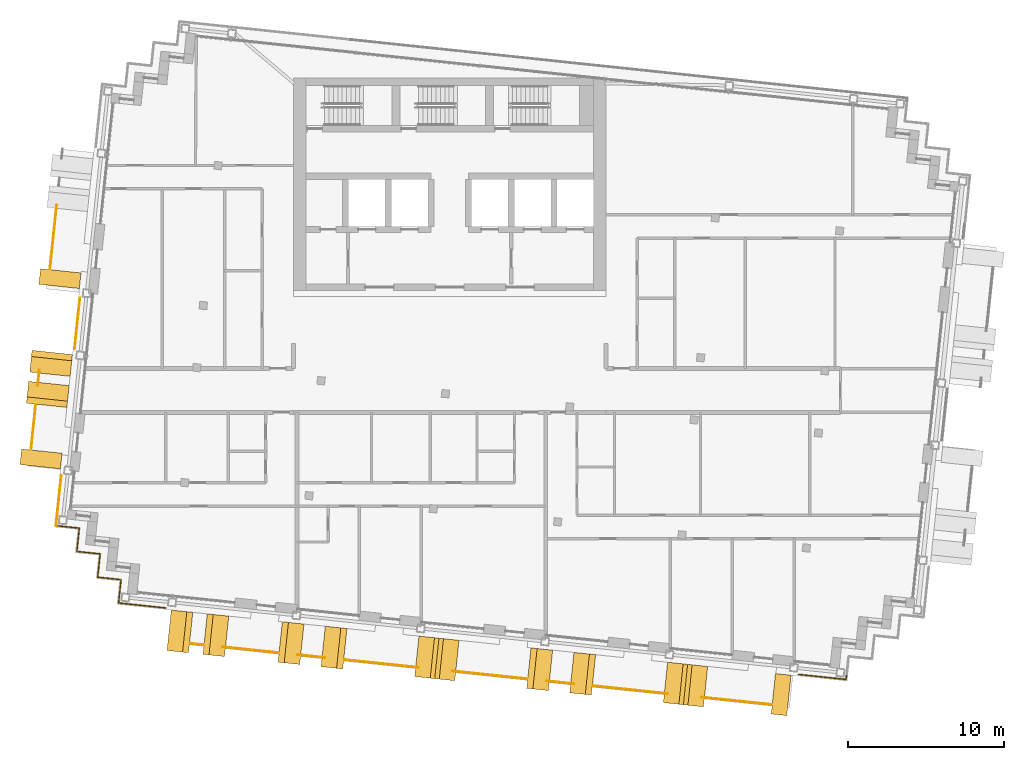
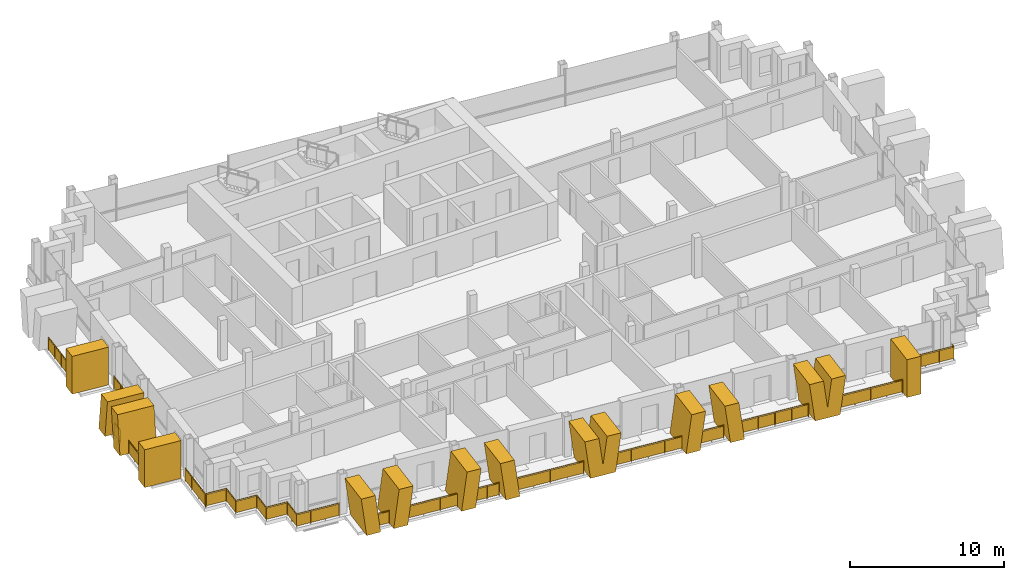
# One storey, part 13 of 16: 15 railings, 13 shading devices.
"""IFC4 building model written with IfcOpenShell, lengths in metres."""

from ifc_helpers import new_model, si_unit, direction, frame, origin, origin_2d, place, context, subcontext, project, spatial, polyline, rectangle, circle, outline, extrude, material, layer, layer_set, type_object, element, save


model = new_model("IFC4")

# Units and contexts
model_context = context("Model", 3, precision=1e-05, world=origin(), true_north=direction((0.0, 1.0)))
body_context = subcontext(model_context, "Body", "Model", "MODEL_VIEW")
ifc_project = project(units=[si_unit("LENGTHUNIT", "METRE"), si_unit("AREAUNIT", "SQUARE_METRE"), si_unit("VOLUMEUNIT", "CUBIC_METRE"), si_unit("PLANEANGLEUNIT", "RADIAN"), si_unit("MASSUNIT", "GRAM", prefix="KILO")], contexts=[model_context])

# Site, building, storey
site_placement = place(None, origin())
site = spatial("IfcSite", under=ifc_project, at=site_placement, CompositionType="ELEMENT")
building_placement = place(site_placement, origin())
building = spatial("IfcBuilding", under=site, at=building_placement, Name="Vidyagriha Tower", CompositionType="ELEMENT")
storey_placement = place(building_placement, frame((0.0, 0.0, 272.300048828125)))
storey = spatial("IfcBuildingStorey", under=building, at=storey_placement, Name="L71", CompositionType="ELEMENT", Elevation=272.300048828125)

# Railings
ifc_material_1 = material(Name="Steel ASTM A500 Grade C black painted", Category="steel")
railing_type_1 = type_object("IfcRailingType", Name="Balcony guard 1100", PredefinedType="BALUSTRADE", material=ifc_material_1)
railing_1_placement = place(storey_placement, frame((-25.153076171875, 11.8515625, 0.0)))
element("IfcRailing", 1, at=railing_1_placement, inside=storey, type_object=railing_type_1, Name="Balcony guard L71 R14.1-3", PredefinedType="BALUSTRADE", context=body_context, shape_type="SweptSolid", body=[
    extrude(circle(Radius=0.02490234375, at=origin_2d()), frame((0.0, 0.0, 1.0751953125), z_axis=(-0.104529672907, -0.994521768229, 0.0), x_axis=(0.994521768229, -0.104529672907, 0.0)), (0.0, 0.0, 1.0), 4.0966796875),
    extrude(circle(Radius=0.02001953125, at=origin_2d()), origin(), (0.0, 0.0, 1.0), 1.050048828125),
    extrude(circle(Radius=0.02001953125, at=origin_2d()), frame((-0.10693359375, -1.0185546875, 0.0)), (0.0, 0.0, 1.0), 1.050048828125),
    extrude(circle(Radius=0.02001953125, at=origin_2d()), frame((-0.214111328125, -2.037109375, 0.0)), (0.0, 0.0, 1.0), 1.050048828125),
    extrude(circle(Radius=0.02001953125, at=origin_2d()), frame((-0.3212890625, -3.0556640625, 0.0)), (0.0, 0.0, 1.0), 1.050048828125),
    extrude(circle(Radius=0.02001953125, at=origin_2d()), frame((-0.42822265625, -4.07421875, 0.0)), (0.0, 0.0, 1.0), 1.050048828125),
    extrude(rectangle(XDim=0.010009765625, YDim=0.900146484375, at=origin_2d()), frame((0.0, 0.0, 0.550048828125), z_axis=(-0.104529672907, -0.994521768229, 0.0), x_axis=(0.994521768229, -0.104529672907, 0.0)), (0.0, 0.0, 1.0), 4.0966796875),
])
railing_2_placement = place(storey_placement, frame((-26.260986328125, 1.3095703125, 0.0)))
element("IfcRailing", 2, at=railing_2_placement, inside=storey, type_object=railing_type_1, Name="Balcony guard L71 R14.2-1", PredefinedType="BALUSTRADE", context=body_context, shape_type="SweptSolid", body=[
    extrude(circle(Radius=0.02490234375, at=origin_2d()), frame((0.0, 0.0, 1.0751953125), z_axis=(-0.104710374516, -0.994502758904, 0.0), x_axis=(0.994502758904, -0.104710374516, 0.0)), (0.0, 0.0, 1.0), 0.9931640625),
    extrude(circle(Radius=0.02001953125, at=origin_2d()), origin(), (0.0, 0.0, 1.0), 1.050048828125),
    extrude(circle(Radius=0.02001953125, at=origin_2d()), frame((-0.10400390625, -0.98779296875, 0.0)), (0.0, 0.0, 1.0), 1.050048828125),
    extrude(rectangle(XDim=0.010009765625, YDim=0.900146484375, at=origin_2d()), frame((0.0, 0.0, 0.550048828125), z_axis=(-0.104710374516, -0.994502758904, 0.0), x_axis=(0.994502758904, -0.104710374516, 0.0)), (0.0, 0.0, 1.0), 0.9931640625),
])
railing_3_placement = place(storey_placement, frame((-26.495849609375, -0.924560546875, 0.0)))
element("IfcRailing", 3, at=railing_3_placement, inside=storey, type_object=railing_type_1, Name="Balcony guard L71 R14.2-2", PredefinedType="BALUSTRADE", context=body_context, shape_type="SweptSolid", body=[
    extrude(circle(Radius=0.02490234375, at=origin_2d()), frame((0.0, 0.0, 1.0751953125), z_axis=(-0.104591144512, -0.994515305307, 0.0), x_axis=(0.994515305307, -0.104591144512, 0.0)), (0.0, 0.0, 1.0), 2.85009765625),
    extrude(circle(Radius=0.02001953125, at=origin_2d()), origin(), (0.0, 0.0, 1.0), 1.050048828125),
    extrude(circle(Radius=0.02001953125, at=origin_2d()), frame((-0.099365234375, -0.94482421875, 0.0)), (0.0, 0.0, 1.0), 1.050048828125),
    extrude(circle(Radius=0.02001953125, at=origin_2d()), frame((-0.19873046875, -1.8896484375, 0.0)), (0.0, 0.0, 1.0), 1.050048828125),
    extrude(circle(Radius=0.02001953125, at=origin_2d()), frame((-0.298095703125, -2.83447265625, 0.0)), (0.0, 0.0, 1.0), 1.050048828125),
    extrude(rectangle(XDim=0.010009765625, YDim=0.900146484375, at=origin_2d()), frame((0.0, 0.0, 0.550048828125), z_axis=(-0.104591144512, -0.994515305307, 0.0), x_axis=(0.994515305307, -0.104591144512, 0.0)), (0.0, 0.0, 1.0), 2.85009765625),
])
railing_4_placement = place(storey_placement, frame((-16.601806640625, -16.192626953125, 0.0)))
element("IfcRailing", 4, at=railing_4_placement, inside=storey, type_object=railing_type_1, Name="Balcony guard L71 R21.1-1", PredefinedType="BALUSTRADE", context=body_context, shape_type="SweptSolid", body=[
    extrude(circle(Radius=0.02490234375, at=origin_2d()), frame((0.0, 0.0, 1.0751953125), z_axis=(0.994513523133, -0.1046080891, 0.0), x_axis=(0.1046080891, 0.994513523133, 0.0)), (0.0, 0.0, 1.0), 0.82861328125),
    extrude(circle(Radius=0.02001953125, at=origin_2d()), origin(), (0.0, 0.0, 1.0), 1.050048828125),
    extrude(circle(Radius=0.02001953125, at=origin_2d()), frame((0.823974609375, -0.086669921875, 0.0)), (0.0, 0.0, 1.0), 1.050048828125),
    extrude(rectangle(XDim=0.010009765625, YDim=0.900146484375, at=origin_2d()), frame((0.0, 0.0, 0.550048828125), z_axis=(0.994513523133, -0.1046080891, 0.0), x_axis=(0.1046080891, 0.994513523133, 0.0)), (0.0, 0.0, 1.0), 0.82861328125),
])
railing_5_placement = place(storey_placement, frame((-14.536865234375, -16.40966796875, 0.0)))
element("IfcRailing", 5, at=railing_5_placement, inside=storey, type_object=railing_type_1, Name="Balcony guard L71 R21.1-2", PredefinedType="BALUSTRADE", context=body_context, shape_type="SweptSolid", body=[
    extrude(circle(Radius=0.02490234375, at=origin_2d()), frame((0.0, 0.0, 1.0751953125), z_axis=(0.994521869256, -0.104528711712, 0.0), x_axis=(0.104528711712, 0.994521869256, 0.0)), (0.0, 0.0, 1.0), 3.582763671875),
    extrude(circle(Radius=0.02001953125, at=origin_2d()), origin(), (0.0, 0.0, 1.0), 1.050048828125),
    extrude(circle(Radius=0.02001953125, at=origin_2d()), frame((1.187744140625, -0.124755859375, 0.0)), (0.0, 0.0, 1.0), 1.050048828125),
    extrude(circle(Radius=0.02001953125, at=origin_2d()), frame((2.37548828125, -0.249755859375, 0.0)), (0.0, 0.0, 1.0), 1.050048828125),
    extrude(circle(Radius=0.02001953125, at=origin_2d()), frame((3.563232421875, -0.37451171875, 0.0)), (0.0, 0.0, 1.0), 1.050048828125),
    extrude(rectangle(XDim=0.010009765625, YDim=0.900146484375, at=origin_2d()), frame((0.0, 0.0, 0.550048828125), z_axis=(0.994521869256, -0.104528711712, 0.0), x_axis=(0.104528711712, 0.994521869256, 0.0)), (0.0, 0.0, 1.0), 3.582763671875),
])
railing_6_placement = place(storey_placement, frame((-9.72900390625, -16.9150390625, 0.0)))
element("IfcRailing", 6, at=railing_6_placement, inside=storey, type_object=railing_type_1, Name="Balcony guard L71 R21.1-3", PredefinedType="BALUSTRADE", context=body_context, shape_type="SweptSolid", body=[
    extrude(circle(Radius=0.02490234375, at=origin_2d()), frame((0.0, 0.0, 1.0751953125), z_axis=(0.994526749001, -0.104482273715, 0.0), x_axis=(0.104482273715, 0.994526749001, 0.0)), (0.0, 0.0, 1.0), 1.757080078125),
    extrude(circle(Radius=0.02001953125, at=origin_2d()), origin(), (0.0, 0.0, 1.0), 1.050048828125),
    extrude(circle(Radius=0.02001953125, at=origin_2d()), frame((0.873779296875, -0.091796875, 0.0)), (0.0, 0.0, 1.0), 1.050048828125),
    extrude(circle(Radius=0.02001953125, at=origin_2d()), frame((1.74755859375, -0.18359375, 0.0)), (0.0, 0.0, 1.0), 1.050048828125),
    extrude(rectangle(XDim=0.010009765625, YDim=0.900146484375, at=origin_2d()), frame((0.0, 0.0, 0.550048828125), z_axis=(0.994526749001, -0.104482273715, 0.0), x_axis=(0.104482273715, 0.994526749001, 0.0)), (0.0, 0.0, 1.0), 1.757080078125),
])
for number, where, name in (
    (7, (-6.73681640625, -17.2294921875, 0.0), "Balcony guard L71 R21.1-4"),
    (8, (0.19140625, -17.95751953125, 0.0), "Balcony guard L71 R21.1-5"),
):
    element("IfcRailing", number, at=place(storey_placement, frame(where)), inside=storey, type_object=railing_type_1, Name=name, PredefinedType="BALUSTRADE", context=body_context, shape_type="SweptSolid", body=[
        extrude(circle(Radius=0.02490234375, at=origin_2d()), frame((0.0, 0.0, 1.0751953125), z_axis=(0.994520575937, -0.104541016056, 0.0), x_axis=(0.104541016056, 0.994520575937, 0.0)), (0.0, 0.0, 1.0), 4.7734375),
        extrude(circle(Radius=0.02001953125, at=origin_2d()), origin(), (0.0, 0.0, 1.0), 1.050048828125),
        extrude(circle(Radius=0.02001953125, at=origin_2d()), frame((1.186767578125, -0.124755859375, 0.0)), (0.0, 0.0, 1.0), 1.050048828125),
        extrude(circle(Radius=0.02001953125, at=origin_2d()), frame((2.37353515625, -0.24951171875, 0.0)), (0.0, 0.0, 1.0), 1.050048828125),
        extrude(circle(Radius=0.02001953125, at=origin_2d()), frame((3.560546875, -0.374267578125, 0.0)), (0.0, 0.0, 1.0), 1.050048828125),
        extrude(circle(Radius=0.02001953125, at=origin_2d()), frame((4.747314453125, -0.4990234375, 0.0)), (0.0, 0.0, 1.0), 1.050048828125),
        extrude(rectangle(XDim=0.010009765625, YDim=0.900146484375, at=origin_2d()), frame((0.0, 0.0, 0.550048828125), z_axis=(0.994520575937, -0.104541016056, 0.0), x_axis=(0.104541016056, 0.994520575937, 0.0)), (0.0, 0.0, 1.0), 4.7734375),
    ])
railing_7_placement = place(storey_placement, frame((6.183349609375, -18.58740234375, 0.0)))
element("IfcRailing", 9, at=railing_7_placement, inside=storey, type_object=railing_type_1, Name="Balcony guard L71 R21.1-6", PredefinedType="BALUSTRADE", context=body_context, shape_type="SweptSolid", body=[
    extrude(circle(Radius=0.02490234375, at=origin_2d()), frame((0.0, 0.0, 1.0751953125), z_axis=(0.994526749001, -0.104482273715, 0.0), x_axis=(0.104482273715, 0.994526749001, 0.0)), (0.0, 0.0, 1.0), 1.757080078125),
    extrude(circle(Radius=0.02001953125, at=origin_2d()), origin(), (0.0, 0.0, 1.0), 1.050048828125),
    extrude(circle(Radius=0.02001953125, at=origin_2d()), frame((0.873779296875, -0.091796875, 0.0)), (0.0, 0.0, 1.0), 1.050048828125),
    extrude(circle(Radius=0.02001953125, at=origin_2d()), frame((1.74755859375, -0.18359375, 0.0)), (0.0, 0.0, 1.0), 1.050048828125),
    extrude(rectangle(XDim=0.010009765625, YDim=0.900146484375, at=origin_2d()), frame((0.0, 0.0, 0.550048828125), z_axis=(0.994526749001, -0.104482273715, 0.0), x_axis=(0.104482273715, 0.994526749001, 0.0)), (0.0, 0.0, 1.0), 1.757080078125),
])
railing_8_placement = place(storey_placement, frame((9.175537109375, -18.90185546875, 0.0)))
element("IfcRailing", 10, at=railing_8_placement, inside=storey, type_object=railing_type_1, Name="Balcony guard L71 R21.1-7", PredefinedType="BALUSTRADE", context=body_context, shape_type="SweptSolid", body=[
    extrude(circle(Radius=0.02490234375, at=origin_2d()), frame((0.0, 0.0, 1.0751953125), z_axis=(0.994520575937, -0.104541016056, 0.0), x_axis=(0.104541016056, 0.994520575937, 0.0)), (0.0, 0.0, 1.0), 4.7734375),
    extrude(circle(Radius=0.02001953125, at=origin_2d()), origin(), (0.0, 0.0, 1.0), 1.050048828125),
    extrude(circle(Radius=0.02001953125, at=origin_2d()), frame((1.186767578125, -0.124755859375, 0.0)), (0.0, 0.0, 1.0), 1.050048828125),
    extrude(circle(Radius=0.02001953125, at=origin_2d()), frame((2.37353515625, -0.24951171875, 0.0)), (0.0, 0.0, 1.0), 1.050048828125),
    extrude(circle(Radius=0.02001953125, at=origin_2d()), frame((3.560546875, -0.374267578125, 0.0)), (0.0, 0.0, 1.0), 1.050048828125),
    extrude(circle(Radius=0.02001953125, at=origin_2d()), frame((4.747314453125, -0.4990234375, 0.0)), (0.0, 0.0, 1.0), 1.050048828125),
    extrude(rectangle(XDim=0.010009765625, YDim=0.900146484375, at=origin_2d()), frame((0.0, 0.0, 0.550048828125), z_axis=(0.994520575937, -0.104541016056, 0.0), x_axis=(0.104541016056, 0.994520575937, 0.0)), (0.0, 0.0, 1.0), 4.7734375),
])
railing_9_placement = place(storey_placement, frame((16.103759765625, -19.630126953125, 0.0)))
element("IfcRailing", 11, at=railing_9_placement, inside=storey, type_object=railing_type_1, Name="Balcony guard L71 R21.1-8", PredefinedType="BALUSTRADE", context=body_context, shape_type="SweptSolid", body=[
    extrude(circle(Radius=0.02490234375, at=origin_2d()), frame((0.0, 0.0, 1.0751953125), z_axis=(0.994522668533, -0.104521106837, 0.0), x_axis=(0.104521106837, 0.994522668533, 0.0)), (0.0, 0.0, 1.0), 4.50341796875),
    extrude(circle(Radius=0.02001953125, at=origin_2d()), origin(), (0.0, 0.0, 1.0), 1.050048828125),
    extrude(circle(Radius=0.02001953125, at=origin_2d()), frame((1.11962890625, -0.11767578125, 0.0)), (0.0, 0.0, 1.0), 1.050048828125),
    extrude(circle(Radius=0.02001953125, at=origin_2d()), frame((2.2392578125, -0.2353515625, 0.0)), (0.0, 0.0, 1.0), 1.050048828125),
    extrude(circle(Radius=0.02001953125, at=origin_2d()), frame((3.359130859375, -0.35302734375, 0.0)), (0.0, 0.0, 1.0), 1.050048828125),
    extrude(circle(Radius=0.02001953125, at=origin_2d()), frame((4.478759765625, -0.470703125, 0.0)), (0.0, 0.0, 1.0), 1.050048828125),
    extrude(rectangle(XDim=0.010009765625, YDim=0.900146484375, at=origin_2d()), frame((0.0, 0.0, 0.550048828125), z_axis=(0.994522668533, -0.104521106837, 0.0), x_axis=(0.104521106837, 0.994522668533, 0.0)), (0.0, 0.0, 1.0), 4.50341796875),
])

# Shading devices
ifc_material_2 = material(Name="Precast concrete C40/50 with buff brick facing", Category="concrete")
ifc_layer_1 = layer(ifc_material_2, 1.0)
ifc_layer_set_1 = layer_set([ifc_layer_1], Name="Precast concrete C40/50 with buff brick facing")
shading_device_type_1 = type_object("IfcShadingDeviceType", Name="Brick-faced blade fin arm leaning 8 degrees", PredefinedType="USERDEFINED", material=ifc_layer_set_1)
shading_device_1_placement = place(storey_placement, frame((-25.648193359375, 0.444091796875, 0.0), z_axis=(0.0, 0.0, 1.0), x_axis=(-0.104648468085, -0.994509275033, 0.0)))
element("IfcShadingDevice", 12, at=shading_device_1_placement, inside=storey, type_object=shading_device_type_1, Name="Leaning blade fin L71 R14.1630a", ObjectType="BLADE FIN", PredefinedType="USERDEFINED", context=body_context, shape_type="SweptSolid", body=[
    extrude(outline(polyline([(0.39990234375, 0.0), (1.39990234375, 0.0), (1.0, 3.0), (0.0, 3.0), (0.39990234375, 0.0)])), frame((0.0, 1.300048828125, 0.0), z_axis=(0.0, -1.0, 0.0), x_axis=(1.0, 0.0, 0.0)), (0.0, 0.0, 1.0), 2.60009765625),
])
shading_device_2_placement = place(storey_placement, frame((-25.439208984375, 2.433349609375, 0.0), z_axis=(0.0, 0.0, 1.0), x_axis=(-0.104457839748, -0.994529315664, 0.0)))
element("IfcShadingDevice", 13, at=shading_device_2_placement, inside=storey, type_object=shading_device_type_1, Name="Leaning blade fin L71 R14.1630b", ObjectType="BLADE FIN", PredefinedType="USERDEFINED", context=body_context, shape_type="SweptSolid", body=[
    extrude(outline(polyline([(0.0, 0.0), (1.0, 0.0), (1.39990234375, 3.0), (0.39990234375, 3.0), (0.0, 0.0)])), frame((0.0, 1.300048828125, 0.0), z_axis=(0.0, -1.0, 0.0), x_axis=(1.0, 0.0, 0.0)), (0.0, 0.0, 1.0), 2.60009765625),
])
shading_device_3_placement = place(storey_placement, frame((-15.65478515625, -15.58837890625, 0.0), z_axis=(0.0, 0.0, 1.0), x_axis=(0.994525710414, -0.104492159156, 0.0)))
element("IfcShadingDevice", 14, at=shading_device_3_placement, inside=storey, type_object=shading_device_type_1, Name="Leaning blade fin L71 R21.230a", ObjectType="BLADE FIN", PredefinedType="USERDEFINED", context=body_context, shape_type="SweptSolid", body=[
    extrude(outline(polyline([(0.0, 0.0), (1.0, 0.0), (1.3857421875, 3.0), (0.3857421875, 3.0), (0.0, 0.0)])), frame((0.0, 1.300048828125, 0.0), z_axis=(0.0, -1.0, 0.0), x_axis=(1.0, 0.0, 0.0)), (0.0, 0.0, 1.0), 2.60009765625),
])
shading_device_4_placement = place(storey_placement, frame((-17.95654296875, -15.346435546875, 0.0), z_axis=(0.0, 0.0, 1.0), x_axis=(0.994525710414, -0.104492159156, 0.0)))
element("IfcShadingDevice", 15, at=shading_device_4_placement, inside=storey, type_object=shading_device_type_1, Name="Leaning blade fin L71 R21.230b", ObjectType="BLADE FIN", PredefinedType="USERDEFINED", context=body_context, shape_type="SweptSolid", body=[
    extrude(outline(polyline([(0.3857421875, 0.0), (1.3857421875, 0.0), (1.0, 3.0), (0.0, 3.0), (0.3857421875, 0.0)])), frame((0.0, 1.300048828125, 0.0), z_axis=(0.0, -1.0, 0.0), x_axis=(1.0, 0.0, 0.0)), (0.0, 0.0, 1.0), 2.60009765625),
])
shading_device_5_placement = place(storey_placement, frame((-8.100830078125, -16.382080078125, 0.0), z_axis=(0.0, 0.0, 1.0), x_axis=(0.99450928781, -0.104648346667, 0.0)))
element("IfcShadingDevice", 16, at=shading_device_5_placement, inside=storey, type_object=shading_device_type_1, Name="Leaning blade fin L71 R21.1030a", ObjectType="BLADE FIN", PredefinedType="USERDEFINED", context=body_context, shape_type="SweptSolid", body=[
    extrude(outline(polyline([(0.39501953125, 0.0), (1.39501953125, 0.0), (1.0, 3.0), (0.0, 3.0), (0.39501953125, 0.0)])), frame((0.0, 1.300048828125, 0.0), z_axis=(0.0, -1.0, 0.0), x_axis=(1.0, 0.0, 0.0)), (0.0, 0.0, 1.0), 2.60009765625),
])
shading_device_6_placement = place(storey_placement, frame((-10.8505859375, -16.09326171875, 0.0), z_axis=(0.0, 0.0, 1.0), x_axis=(0.994525575058, -0.104493447432, 0.0)))
element("IfcShadingDevice", 17, at=shading_device_6_placement, inside=storey, type_object=shading_device_type_1, Name="Leaning blade fin L71 R21.1030b", ObjectType="BLADE FIN", PredefinedType="USERDEFINED", context=body_context, shape_type="SweptSolid", body=[
    extrude(outline(polyline([(0.0, 0.0), (1.0, 0.0), (1.39501953125, 3.0), (0.39501953125, 3.0), (0.0, 0.0)])), frame((0.0, 1.300048828125, 0.0), z_axis=(0.0, -1.0, 0.0), x_axis=(1.0, 0.0, 0.0)), (0.0, 0.0, 1.0), 2.60009765625),
])
shading_device_7_placement = place(storey_placement, frame((7.8115234375, -18.0546875, 0.0), z_axis=(0.0, 0.0, 1.0), x_axis=(0.9945274857, -0.104475261123, 0.0)))
element("IfcShadingDevice", 18, at=shading_device_7_placement, inside=storey, type_object=shading_device_type_1, Name="Leaning blade fin L71 R21.2630a", ObjectType="BLADE FIN", PredefinedType="USERDEFINED", context=body_context, shape_type="SweptSolid", body=[
    extrude(outline(polyline([(0.39501953125, 0.0), (1.39501953125, 0.0), (1.0, 3.0), (0.0, 3.0), (0.39501953125, 0.0)])), frame((0.0, 1.300048828125, 0.0), z_axis=(0.0, -1.0, 0.0), x_axis=(1.0, 0.0, 0.0)), (0.0, 0.0, 1.0), 2.60009765625),
])
shading_device_8_placement = place(storey_placement, frame((5.061767578125, -17.765625, 0.0), z_axis=(0.0, 0.0, 1.0), x_axis=(0.994507370866, -0.104666562439, 0.0)))
element("IfcShadingDevice", 19, at=shading_device_8_placement, inside=storey, type_object=shading_device_type_1, Name="Leaning blade fin L71 R21.2630b", ObjectType="BLADE FIN", PredefinedType="USERDEFINED", context=body_context, shape_type="SweptSolid", body=[
    extrude(outline(polyline([(0.0, 0.0), (1.0, 0.0), (1.39501953125, 3.0), (0.39501953125, 3.0), (0.0, 0.0)])), frame((0.0, 1.300048828125, 0.0), z_axis=(0.0, -1.0, 0.0), x_axis=(1.0, 0.0, 0.0)), (0.0, 0.0, 1.0), 2.60009765625),
])
ifc_material_3 = material(Name="Precast concrete C40/50 with buff brick facing", Category="concrete")
ifc_layer_2 = layer(ifc_material_3, 1.0)
ifc_layer_set_2 = layer_set([ifc_layer_2], Name="Precast concrete C40/50 with buff brick facing")
shading_device_type_2 = type_object("IfcShadingDeviceType", Name="Brick-faced blade fin forking 8 degrees", PredefinedType="USERDEFINED", material=ifc_layer_set_2)
for number, where, z_axis, x_axis, name in (
    (20, (-2.10888671875, -17.011962890625, 0.0), (0.0, 0.0, 1.0), (0.994518407752, -0.104561640396, 0.0), "Forked blade fin L71 R21.1830a"),
    (21, (13.803466796875, -18.6845703125, 0.0), (0.0, 0.0, 1.0), (0.994528243451, -0.104468047647, 0.0), "Forked blade fin L71 R21.3430a"),
):
    element("IfcShadingDevice", number, at=place(storey_placement, frame(where, z_axis=z_axis, x_axis=x_axis)), inside=storey, type_object=shading_device_type_2, Name=name, ObjectType="BLADE FIN", PredefinedType="USERDEFINED", context=body_context, shape_type="SweptSolid", body=[
        extrude(outline(polyline([(0.39501953125, 0.0), (2.18505859375, 0.0), (2.580078125, 3.0), (1.580078125, 3.0), (1.2900390625, 0.79736328125), (1.0, 3.0), (0.0, 3.0), (0.39501953125, 0.0)])), frame((0.0, 1.300048828125, 0.0), z_axis=(0.0, -1.0, 0.0), x_axis=(1.0, 0.0, 0.0)), (0.0, 0.0, 1.0), 2.60009765625),
    ])
ifc_material_4 = material(Name="Precast concrete C40/50 with buff brick facing", Category="concrete")
ifc_layer_3 = layer(ifc_material_4, 1.0)
ifc_layer_set_3 = layer_set([ifc_layer_3], Name="Precast concrete C40/50 with buff brick facing")
shading_device_type_3 = type_object("IfcShadingDeviceType", Name="Brick-faced blade fin stem 1000", PredefinedType="USERDEFINED", material=ifc_layer_set_3)
for number, where, z_axis, x_axis, name in (
    (22, (-24.890380859375, 7.654541015625, 0.0), (0.0, 0.0, 1.0), (-0.104481464157, -0.994526834051, 0.0), "Stem blade fin L71 R14.1230a"),
    (23, (-26.102783203125, -3.882080078125, 0.0), (0.0, 0.0, 1.0), (-0.104748335039, -0.99449876134, 0.0), "Stem blade fin L71 R14.2370a"),
    (24, (20.70556640625, -19.409912109375, 0.0), (0.0, 0.0, 1.0), (0.994524168223, -0.104506836238, 0.0), "Stem blade fin L71 R21.4230a"),
):
    element("IfcShadingDevice", number, at=place(storey_placement, frame(where, z_axis=z_axis, x_axis=x_axis)), inside=storey, type_object=shading_device_type_3, Name=name, ObjectType="BLADE FIN", PredefinedType="USERDEFINED", context=body_context, shape_type="SweptSolid", body=[
        extrude(outline(polyline([(0.0, 0.0), (1.0, 0.0), (1.0, 3.0), (0.0, 3.0), (0.0, 0.0)])), frame((0.0, 1.300048828125, 0.0), z_axis=(0.0, -1.0, 0.0), x_axis=(1.0, 0.0, 0.0)), (0.0, 0.0, 1.0), 2.60009765625),
    ])

# Railings
ifc_material_5 = material(Name="Steel ASTM A500 Grade C black painted", Category="steel")
railing_type_2 = type_object("IfcRailingType", Name="Gallery guard 1100", PredefinedType="GUARDRAIL", material=ifc_material_5)
railing_10_placement = place(storey_placement, frame((-18.168212890625, -13.91650390625, 0.0)))
element("IfcRailing", 25, at=railing_10_placement, inside=storey, type_object=railing_type_2, Name="Gallery guard L71 1", PredefinedType="GUARDRAIL", context=body_context, shape_type="SweptSolid", body=[
    extrude(circle(Radius=0.02490234375, at=origin_2d()), frame((0.0, 0.0, 1.0751953125), z_axis=(-0.994518646122, 0.104559373163, 0.0), x_axis=(-0.104559373163, -0.994518646122, 0.0)), (0.0, 0.0, 1.0), 3.0400390625),
    extrude(circle(Radius=0.02490234375, at=origin_2d()), frame((-3.0234375, 0.31787109375, 1.0751953125), z_axis=(0.104481464157, 0.994526834051, 0.0), x_axis=(-0.994526834051, 0.104481464157, 0.0)), (0.0, 0.0, 1.0), 1.500244140625),
    extrude(circle(Radius=0.02490234375, at=origin_2d()), frame((-2.86669921875, 1.809814453125, 1.0751953125), z_axis=(-0.994525057048, 0.104498377516, 0.0), x_axis=(-0.104498377516, -0.994525057048, 0.0)), (0.0, 0.0, 1.0), 1.5),
    extrude(circle(Radius=0.02490234375, at=origin_2d()), frame((-4.3583984375, 1.966552734375, 1.0751953125), z_axis=(0.104498377516, 0.994525057048, 0.0), x_axis=(-0.994525057048, 0.104498377516, 0.0)), (0.0, 0.0, 1.0), 1.5),
    extrude(circle(Radius=0.02490234375, at=origin_2d()), frame((-4.20166015625, 3.458251953125, 1.0751953125), z_axis=(-0.994525057048, 0.104498377516, 0.0), x_axis=(-0.104498377516, -0.994525057048, 0.0)), (0.0, 0.0, 1.0), 1.5),
    extrude(circle(Radius=0.02490234375, at=origin_2d()), frame((-5.693359375, 3.614990234375, 1.0751953125), z_axis=(0.104498377516, 0.994525057048, 0.0), x_axis=(-0.994525057048, 0.104498377516, 0.0)), (0.0, 0.0, 1.0), 1.5),
    extrude(circle(Radius=0.02490234375, at=origin_2d()), frame((-5.53662109375, 5.106689453125, 1.0751953125), z_axis=(-0.994505452921, 0.104684784518, 0.0), x_axis=(-0.104684784518, -0.994505452921, 0.0)), (0.0, 0.0, 1.0), 1.4599609375),
    extrude(circle(Radius=0.02001953125, at=origin_2d()), origin(), (0.0, 0.0, 1.0), 1.050048828125),
    extrude(circle(Radius=0.02001953125, at=origin_2d()), frame((-1.0078125, 0.10595703125, 0.0)), (0.0, 0.0, 1.0), 1.050048828125),
    extrude(circle(Radius=0.02001953125, at=origin_2d()), frame((-2.015625, 0.2119140625, 0.0)), (0.0, 0.0, 1.0), 1.050048828125),
    extrude(circle(Radius=0.02001953125, at=origin_2d()), frame((-3.0234375, 0.31787109375, 0.0)), (0.0, 0.0, 1.0), 1.050048828125),
    extrude(circle(Radius=0.02001953125, at=origin_2d()), frame((-2.945068359375, 1.06396484375, 0.0)), (0.0, 0.0, 1.0), 1.050048828125),
    extrude(circle(Radius=0.02001953125, at=origin_2d()), frame((-2.86669921875, 1.809814453125, 0.0)), (0.0, 0.0, 1.0), 1.050048828125),
    extrude(circle(Radius=0.02001953125, at=origin_2d()), frame((-4.3583984375, 1.966552734375, 0.0)), (0.0, 0.0, 1.0), 1.050048828125),
    extrude(circle(Radius=0.02001953125, at=origin_2d()), frame((-4.20166015625, 3.458251953125, 0.0)), (0.0, 0.0, 1.0), 1.050048828125),
    extrude(circle(Radius=0.02001953125, at=origin_2d()), frame((-5.693359375, 3.614990234375, 0.0)), (0.0, 0.0, 1.0), 1.050048828125),
    extrude(circle(Radius=0.02001953125, at=origin_2d()), frame((-5.53662109375, 5.106689453125, 0.0)), (0.0, 0.0, 1.0), 1.050048828125),
    extrude(circle(Radius=0.02001953125, at=origin_2d()), frame((-6.988525390625, 5.259521484375, 0.0)), (0.0, 0.0, 1.0), 1.050048828125),
    extrude(rectangle(XDim=0.010009765625, YDim=0.900146484375, at=origin_2d()), frame((0.0, 0.0, 0.550048828125), z_axis=(-0.994518646122, 0.104559373163, 0.0), x_axis=(-0.104559373163, -0.994518646122, 0.0)), (0.0, 0.0, 1.0), 3.0400390625),
    extrude(rectangle(XDim=0.010009765625, YDim=0.900146484375, at=origin_2d()), frame((-3.0234375, 0.31787109375, 0.550048828125), z_axis=(0.104481464157, 0.994526834051, 0.0), x_axis=(-0.994526834051, 0.104481464157, 0.0)), (0.0, 0.0, 1.0), 1.500244140625),
    extrude(rectangle(XDim=0.010009765625, YDim=0.900146484375, at=origin_2d()), frame((-2.86669921875, 1.809814453125, 0.550048828125), z_axis=(-0.994525057048, 0.104498377516, 0.0), x_axis=(-0.104498377516, -0.994525057048, 0.0)), (0.0, 0.0, 1.0), 1.5),
    extrude(rectangle(XDim=0.010009765625, YDim=0.900146484375, at=origin_2d()), frame((-4.3583984375, 1.966552734375, 0.550048828125), z_axis=(0.104498377516, 0.994525057048, 0.0), x_axis=(-0.994525057048, 0.104498377516, 0.0)), (0.0, 0.0, 1.0), 1.5),
    extrude(rectangle(XDim=0.010009765625, YDim=0.900146484375, at=origin_2d()), frame((-4.20166015625, 3.458251953125, 0.550048828125), z_axis=(-0.994525057048, 0.104498377516, 0.0), x_axis=(-0.104498377516, -0.994525057048, 0.0)), (0.0, 0.0, 1.0), 1.5),
    extrude(rectangle(XDim=0.010009765625, YDim=0.900146484375, at=origin_2d()), frame((-5.693359375, 3.614990234375, 0.550048828125), z_axis=(0.104498377516, 0.994525057048, 0.0), x_axis=(-0.994525057048, 0.104498377516, 0.0)), (0.0, 0.0, 1.0), 1.5),
    extrude(rectangle(XDim=0.010009765625, YDim=0.900146484375, at=origin_2d()), frame((-5.53662109375, 5.106689453125, 0.550048828125), z_axis=(-0.994505452921, 0.104684784518, 0.0), x_axis=(-0.104684784518, -0.994505452921, 0.0)), (0.0, 0.0, 1.0), 1.4599609375),
])
railing_11_placement = place(storey_placement, frame((-25.15673828125, -8.656982421875, 0.0)))
element("IfcRailing", 26, at=railing_11_placement, inside=storey, type_object=railing_type_2, Name="Gallery guard L71 2", PredefinedType="GUARDRAIL", context=body_context, shape_type="SweptSolid", body=[
    extrude(circle(Radius=0.02490234375, at=origin_2d()), frame((0.0, 0.0, 1.0751953125), z_axis=(-0.99460530117, 0.103731841226, 0.0), x_axis=(-0.103731841226, -0.99460530117, 0.0)), (0.0, 0.0, 1.0), 0.0400390625),
    extrude(circle(Radius=0.02490234375, at=origin_2d()), frame((-0.039794921875, 0.004150390625, 1.0751953125), z_axis=(0.104516113735, 0.994523193279, 0.0), x_axis=(-0.994523193279, 0.104516113735, 0.0)), (0.0, 0.0, 1.0), 3.239990234375),
    extrude(circle(Radius=0.02001953125, at=origin_2d()), origin(), (0.0, 0.0, 1.0), 1.050048828125),
    extrude(circle(Radius=0.02001953125, at=origin_2d()), frame((-0.039794921875, 0.004150390625, 0.0)), (0.0, 0.0, 1.0), 1.050048828125),
    extrude(circle(Radius=0.02001953125, at=origin_2d()), frame((0.072998046875, 1.078125, 0.0)), (0.0, 0.0, 1.0), 1.050048828125),
    extrude(circle(Radius=0.02001953125, at=origin_2d()), frame((0.18603515625, 2.15234375, 0.0)), (0.0, 0.0, 1.0), 1.050048828125),
    extrude(circle(Radius=0.02001953125, at=origin_2d()), frame((0.298828125, 3.226318359375, 0.0)), (0.0, 0.0, 1.0), 1.050048828125),
    extrude(rectangle(XDim=0.010009765625, YDim=0.900146484375, at=origin_2d()), frame((0.0, 0.0, 0.550048828125), z_axis=(-0.99460530117, 0.103731841226, 0.0), x_axis=(-0.103731841226, -0.99460530117, 0.0)), (0.0, 0.0, 1.0), 0.0400390625),
    extrude(rectangle(XDim=0.010009765625, YDim=0.900146484375, at=origin_2d()), frame((-0.039794921875, 0.004150390625, 0.550048828125), z_axis=(0.104516113735, 0.994523193279, 0.0), x_axis=(-0.994523193279, 0.104516113735, 0.0)), (0.0, 0.0, 1.0), 3.239990234375),
])
railing_12_placement = place(storey_placement, frame((-24.009033203125, 2.64501953125, 0.0)))
element("IfcRailing", 27, at=railing_12_placement, inside=storey, type_object=railing_type_2, Name="Gallery guard L71 3", PredefinedType="GUARDRAIL", context=body_context, shape_type="SweptSolid", body=[
    extrude(circle(Radius=0.02490234375, at=origin_2d()), frame((0.0, 0.0, 1.0751953125), z_axis=(0.104506547029, 0.994524198614, 0.0), x_axis=(-0.994524198614, 0.104506547029, 0.0)), (0.0, 0.0, 1.0), 3.280029296875),
    extrude(circle(Radius=0.02001953125, at=origin_2d()), origin(), (0.0, 0.0, 1.0), 1.050048828125),
    extrude(circle(Radius=0.02001953125, at=origin_2d()), frame((0.1142578125, 1.08740234375, 0.0)), (0.0, 0.0, 1.0), 1.050048828125),
    extrude(circle(Radius=0.02001953125, at=origin_2d()), frame((0.228515625, 2.174560546875, 0.0)), (0.0, 0.0, 1.0), 1.050048828125),
    extrude(circle(Radius=0.02001953125, at=origin_2d()), frame((0.3427734375, 3.261962890625, 0.0)), (0.0, 0.0, 1.0), 1.050048828125),
    extrude(rectangle(XDim=0.010009765625, YDim=0.900146484375, at=origin_2d()), frame((0.0, 0.0, 0.550048828125), z_axis=(0.104506547029, 0.994524198614, 0.0), x_axis=(-0.994524198614, 0.104506547029, 0.0)), (0.0, 0.0, 1.0), 3.280029296875),
])
railing_13_placement = place(storey_placement, frame((25.377197265625, -18.251953125, 0.0)))
element("IfcRailing", 28, at=railing_13_placement, inside=storey, type_object=railing_type_2, Name="Gallery guard L71 12", PredefinedType="GUARDRAIL", context=body_context, shape_type="SweptSolid", body=[
    extrude(circle(Radius=0.02490234375, at=origin_2d()), frame((0.0, 0.0, 1.0751953125), z_axis=(-0.104843742972, -0.994488707608, 0.0), x_axis=(0.994488707608, -0.104843742972, 0.0)), (0.0, 0.0, 1.0), 0.23974609375),
    extrude(circle(Radius=0.02490234375, at=origin_2d()), frame((-0.025146484375, -0.238525390625, 1.0751953125), z_axis=(-0.994518646122, 0.104559373163, 0.0), x_axis=(-0.104559373163, -0.994518646122, 0.0)), (0.0, 0.0, 1.0), 3.0400390625),
    extrude(circle(Radius=0.02001953125, at=origin_2d()), origin(), (0.0, 0.0, 1.0), 1.050048828125),
    extrude(circle(Radius=0.02001953125, at=origin_2d()), frame((-0.025146484375, -0.238525390625, 0.0)), (0.0, 0.0, 1.0), 1.050048828125),
    extrude(circle(Radius=0.02001953125, at=origin_2d()), frame((-1.032958984375, -0.132568359375, 0.0)), (0.0, 0.0, 1.0), 1.050048828125),
    extrude(circle(Radius=0.02001953125, at=origin_2d()), frame((-2.040771484375, -0.026611328125, 0.0)), (0.0, 0.0, 1.0), 1.050048828125),
    extrude(circle(Radius=0.02001953125, at=origin_2d()), frame((-3.048583984375, 0.079345703125, 0.0)), (0.0, 0.0, 1.0), 1.050048828125),
    extrude(rectangle(XDim=0.010009765625, YDim=0.900146484375, at=origin_2d()), frame((0.0, 0.0, 0.550048828125), z_axis=(-0.104843742972, -0.994488707608, 0.0), x_axis=(0.994488707608, -0.104843742972, 0.0)), (0.0, 0.0, 1.0), 0.23974609375),
    extrude(rectangle(XDim=0.010009765625, YDim=0.900146484375, at=origin_2d()), frame((-0.025146484375, -0.238525390625, 0.550048828125), z_axis=(-0.994518646122, 0.104559373163, 0.0), x_axis=(-0.104559373163, -0.994518646122, 0.0)), (0.0, 0.0, 1.0), 3.0400390625),
])

save(model, "model.ifc")
